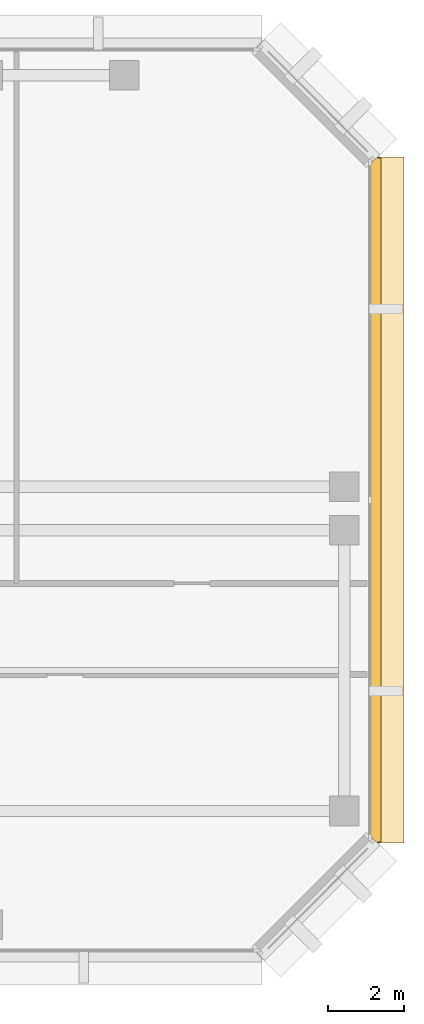
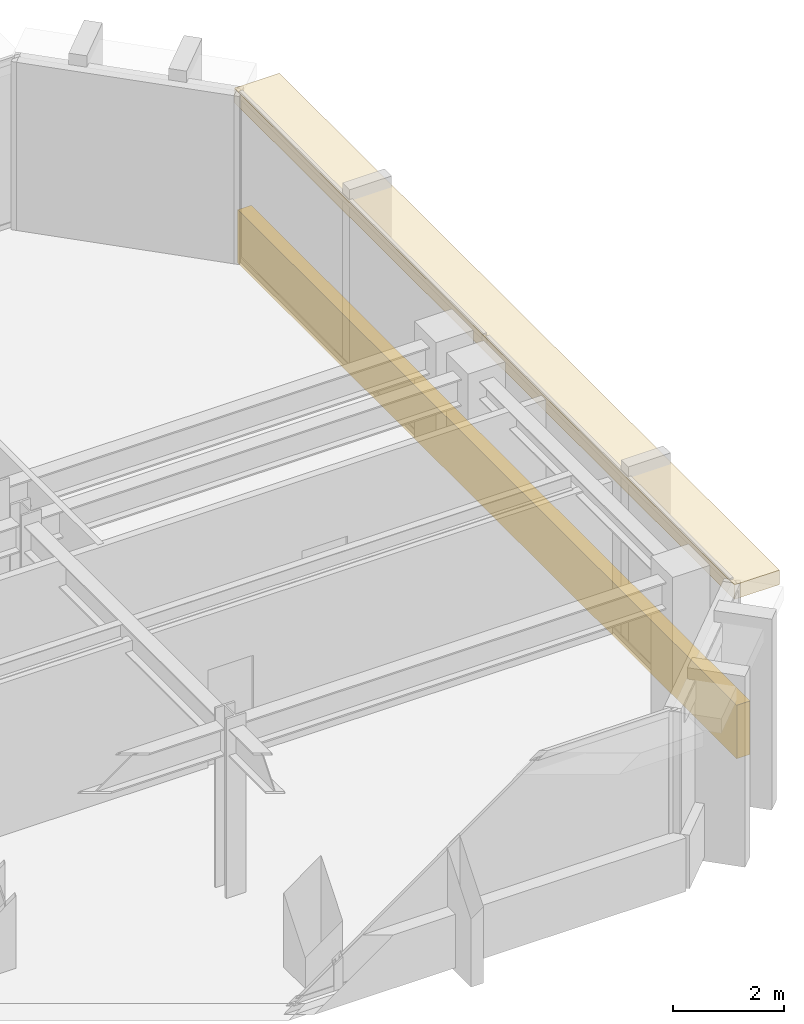
# One storey, part 10 of 12: 2 coverings.
"""IFC4 building model written with IfcOpenShell, lengths in metres."""

from ifc_helpers import new_model, si_unit, direction, frame, origin, origin_2d, place, context, subcontext, project, spatial, rectangle, extrude, material, layer, layer_set, type_object, element, save


model = new_model("IFC4")

# Units and contexts
model_context = context("Model", 3, precision=1e-05, world=origin(), true_north=direction((0.0, 1.0)))
body_context = subcontext(model_context, "Body", "Model", "MODEL_VIEW")
ifc_project = project(units=[si_unit("LENGTHUNIT", "METRE"), si_unit("AREAUNIT", "SQUARE_METRE"), si_unit("VOLUMEUNIT", "CUBIC_METRE"), si_unit("PLANEANGLEUNIT", "RADIAN"), si_unit("MASSUNIT", "GRAM", prefix="KILO")], contexts=[model_context])

# Site, building, storey
site_placement = place(None, origin())
site = spatial("IfcSite", under=ifc_project, at=site_placement, CompositionType="ELEMENT")
building_placement = place(site_placement, origin())
building = spatial("IfcBuilding", under=site, at=building_placement, Name="Kefirva Bronze Tower", CompositionType="ELEMENT")
storey_placement = place(building_placement, frame((0.0, 0.0, 203.280029296875)))
storey = spatial("IfcBuildingStorey", under=building, at=storey_placement, Name="L49", CompositionType="ELEMENT", Elevation=203.280029296875)

# Coverings
ifc_material = material(Name="Bronze anodised aluminium", Category="aluminium")
ifc_layer_1 = layer(ifc_material, 0.02001953125, Name="Bronze anodised aluminium")
ifc_layer_set_1 = layer_set([ifc_layer_1], Name="Bronze anodised aluminium")
covering_type_1 = type_object("IfcCoveringType", Name="Anodised Bronze Spandrel Cladding 20mm", PredefinedType="CLADDING", material=ifc_layer_set_1)
covering_1_placement = place(storey_placement, frame((50.239990234375, 34.0, -0.16015625), z_axis=(0.0, 0.0, 1.0), x_axis=(0.0, 1.0, 0.0)))
element("IfcCovering", 1, at=covering_1_placement, inside=storey, type_object=covering_type_1, Name="L49 Streamline Horizontal Spandrel Band 6", PredefinedType="CLADDING", context=body_context, shape_type="SweptSolid", body=[
    extrude(rectangle(XDim=18.0400390625, YDim=0.280029296875, at=origin_2d()), origin(), (0.0, 0.0, 1.0), 1.179931640625),
])
ifc_layer_2 = layer(ifc_material, 0.179931640625, Name="Bronze anodised aluminium")
ifc_layer_set_2 = layer_set([ifc_layer_2], Name="Bronze anodised aluminium")
covering_type_2 = type_object("IfcCoveringType", Name="Streamline Bronze Sunshade Eyebrow Cladding 180mm", PredefinedType="CLADDING", material=ifc_layer_set_2)
covering_2_placement = place(storey_placement, frame((50.510009765625, 34.0, 3.39013671875), z_axis=(0.0, 0.0, 1.0), x_axis=(0.0, 1.0, 0.0)))
element("IfcCovering", 2, at=covering_2_placement, inside=storey, type_object=covering_type_2, Name="L49 Streamline Bronze Sunshade Eyebrow 6", PredefinedType="CLADDING", context=body_context, shape_type="SweptSolid", body=[
    extrude(rectangle(XDim=18.080078125, YDim=0.93994140625, at=origin_2d()), origin(), (0.0, 0.0, 1.0), 0.320068359375),
])

save(model, "model.ifc")
